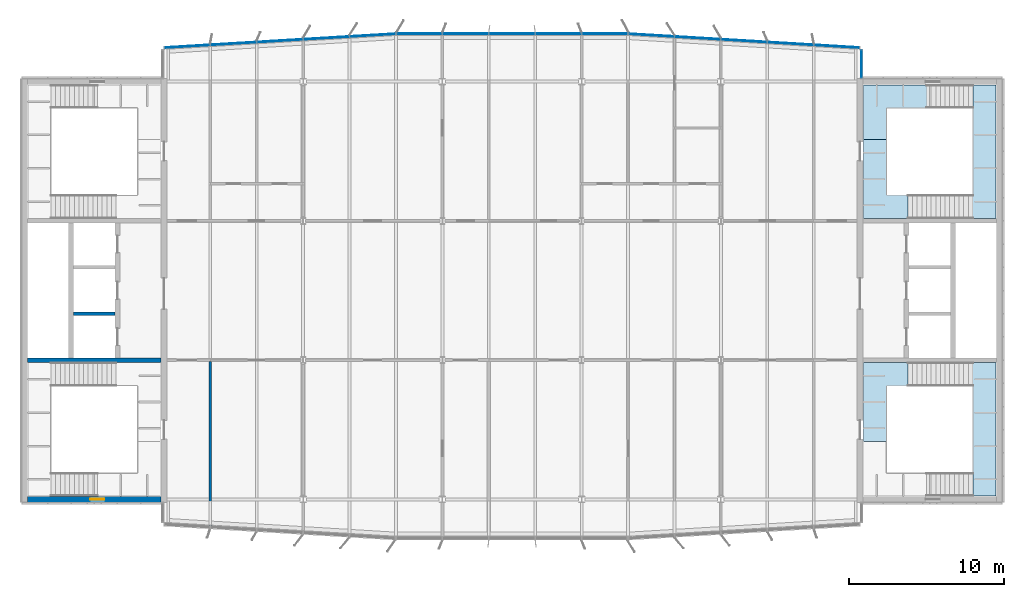
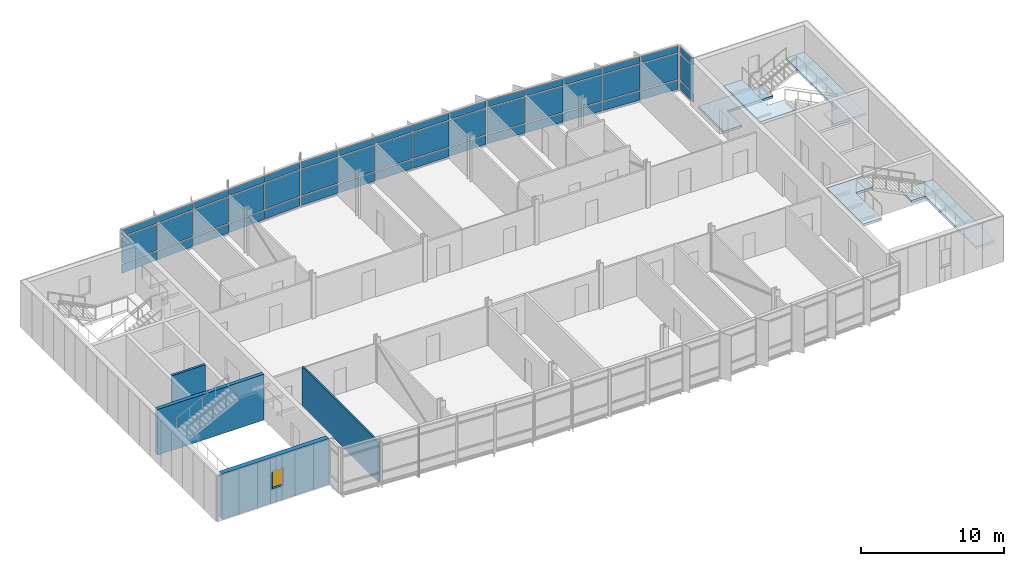
# One storey, part 11 of 18: 48 plates, 5 slabs, 4 walls, 1 window, 1 opening, 6 elements without a shape of their own.
"""IFC4 building model written with IfcOpenShell, lengths in metres."""

from ifc_helpers import new_model, si_unit, direction, frame, frame_2d, origin, origin_2d, place, context, subcontext, project, spatial, polyline, rectangle, outline, extrude, material, layer, layer_set, type_object, element, fill, aggregate, save


model = new_model("IFC4")

# Units and contexts
model_context = context("Model", 3, precision=1e-05, world=origin(), true_north=direction((0.0, 1.0)))
body_context = subcontext(model_context, "Body", "Model", "MODEL_VIEW")
ifc_project = project(units=[si_unit("LENGTHUNIT", "METRE"), si_unit("AREAUNIT", "SQUARE_METRE"), si_unit("VOLUMEUNIT", "CUBIC_METRE"), si_unit("PLANEANGLEUNIT", "RADIAN"), si_unit("MASSUNIT", "GRAM", prefix="KILO")], contexts=[model_context])

# Site, building, storey
site_placement = place(None, origin())
site = spatial("IfcSite", under=ifc_project, at=site_placement, CompositionType="ELEMENT")
building_placement = place(site_placement, origin())
building = spatial("IfcBuilding", under=site, at=building_placement, Name="Azimuth Sports and Learning Centre", CompositionType="ELEMENT")
storey_placement = place(building_placement, frame((0.0, 0.0, 63.60009765625)))
storey = spatial("IfcBuildingStorey", under=building, at=storey_placement, Name="L14", CompositionType="ELEMENT", Elevation=63.60009765625)

# Stair, slabs
ifc_material_1 = material(Name="Concrete C32/40", Category="concrete")
stair_type = type_object("IfcStairType", Name="Square-well stair core 3900 storey", PredefinedType="THREE_QUARTER_TURN_STAIR", material=ifc_material_1)
stair_1_placement = place(storey_placement, origin())
stair_1 = element("IfcStair", 1, at=stair_1_placement, inside=storey, type_object=stair_type, Name="Stair E1 L14-L15", PredefinedType="THREE_QUARTER_TURN_STAIR")
ifc_material_2 = material(Name="Concrete C32/40", Category="concrete")
ifc_layer_1 = layer(ifc_material_2, 0.199951171875)
ifc_layer_set_1 = layer_set([ifc_layer_1], Name="Concrete C32/40")
slab_type = type_object("IfcSlabType", Name="Concrete stair landing", PredefinedType="LANDING", material=ifc_layer_set_1)
slab_1_placement = place(storey_placement, frame((0.0, 0.0, 1.449951171875)))
slab_1 = element("IfcSlab", 2, at=slab_1_placement, type_object=slab_type, Name="Stair E1 L14 landing 2", PredefinedType="LANDING", context=body_context, shape_type="SweptSolid", body=[
    extrude(outline(polyline([(115.2900390625, 91.7099609375), (115.289306640625, 91.7099609375), (115.289306640625, 90.2099609375), (116.7900390625, 90.2099609375), (116.7900390625, 98.840087890625), (114.18994140625, 98.840087890625), (114.18994140625, 97.340087890625), (115.2900390625, 97.340087890625), (115.2900390625, 91.7099609375)])), origin(), (0.0, 0.0, 1.0), 0.199951171875),
])
slab_2_placement = place(storey_placement, frame((0.0, 0.0, 3.699951171875)))
slab_2 = element("IfcSlab", 3, at=slab_2_placement, type_object=slab_type, Name="Stair E1 L14 landing 3", PredefinedType="LANDING", context=body_context, shape_type="SweptSolid", body=[
    extrude(outline(polyline([(109.7099609375, 97.340087890625), (111.0908203125, 97.340087890625), (111.0908203125, 98.840087890625), (108.2099609375, 98.840087890625), (108.2099609375, 93.75), (109.7099609375, 93.75), (109.7099609375, 97.340087890625)])), origin(), (0.0, 0.0, 1.0), 0.199951171875),
])
aggregate(stair_1, [slab_1, slab_2])

stair_2_placement = place(storey_placement, origin())
stair_2 = element("IfcStair", 4, at=stair_2_placement, inside=storey, type_object=stair_type, Name="Stair E2 L14-L15", PredefinedType="THREE_QUARTER_TURN_STAIR")
slab_3_placement = place(storey_placement, frame((0.0, 0.0, -0.2001953125)))
slab_3 = element("IfcSlab", 5, at=slab_3_placement, type_object=slab_type, Name="Stair E2 L14 landing 1", PredefinedType="LANDING", context=body_context, shape_type="SweptSolid", body=[
    extrude(outline(polyline([(108.2099609375, 116.7900390625), (108.2099609375, 113.25), (109.7099609375, 113.25), (109.7099609375, 115.2900390625), (113.389892578125, 115.2900390625), (113.389892578125, 116.7900390625), (108.2099609375, 116.7900390625)])), origin(), (0.0, 0.0, 1.0), 0.2001953125),
])
slab_4_placement = place(storey_placement, frame((0.0, 0.0, 1.449951171875)))
slab_4 = element("IfcSlab", 6, at=slab_4_placement, type_object=slab_type, Name="Stair E2 L14 landing 2", PredefinedType="LANDING", context=body_context, shape_type="SweptSolid", body=[
    extrude(outline(polyline([(115.2900390625, 115.2900390625), (115.2900390625, 109.659912109375), (114.18994140625, 109.659912109375), (114.18994140625, 108.159912109375), (116.7900390625, 108.159912109375), (116.7900390625, 116.7900390625), (115.289306640625, 116.7900390625), (115.289306640625, 115.2900390625), (115.2900390625, 115.2900390625)])), origin(), (0.0, 0.0, 1.0), 0.199951171875),
])
slab_5_placement = place(storey_placement, frame((0.0, 0.0, 3.699951171875)))
slab_5 = element("IfcSlab", 7, at=slab_5_placement, type_object=slab_type, Name="Stair E2 L14 landing 3", PredefinedType="LANDING", context=body_context, shape_type="SweptSolid", body=[
    extrude(outline(polyline([(109.7099609375, 109.659912109375), (109.7099609375, 113.25), (108.2099609375, 113.25), (108.2099609375, 108.159912109375), (111.0908203125, 108.159912109375), (111.0908203125, 109.659912109375), (109.7099609375, 109.659912109375)])), origin(), (0.0, 0.0, 1.0), 0.199951171875),
])
aggregate(stair_2, [slab_3, slab_4, slab_5])

# Curtain wall, plates
ifc_material_3 = material(Name="Aluminium and glass", Category="aluminium")
curtain_wall_type_1 = type_object("IfcCurtainWallType", Name="Curtain wall tower return 180", PredefinedType="NOTDEFINED", material=ifc_material_3)
curtain_wall_1_placement = place(storey_placement, origin())
curtain_wall_1 = element("IfcCurtainWall", 8, at=curtain_wall_1_placement, inside=storey, type_object=curtain_wall_type_1, Name="Curtain wall CW14-006", PredefinedType="NOTDEFINED")
ifc_material_4 = material(Name="Insulated aluminium panel", Category="aluminium")
ifc_layer_2 = layer(ifc_material_4, 0.050048828125)
ifc_layer_set_2 = layer_set([ifc_layer_2], Name="Insulated aluminium panel")
plate_type_1 = type_object("IfcPlateType", Name="Spandrel panel 50 mm", PredefinedType="CURTAIN_PANEL", material=ifc_layer_set_2)
plate_1_placement = place(storey_placement, frame((108.090087890625, 118.14990234375, 0.099853515625), z_axis=(0.0, 0.0, 1.0), x_axis=(0.0, 1.0, 0.0)))
plate_1 = element("IfcPlate", 9, at=plate_1_placement, type_object=plate_type_1, Name="CW14-006 panel 1.1", PredefinedType="CURTAIN_PANEL", context=body_context, shape_type="SweptSolid", body=[
    extrude(rectangle(XDim=1.780029296875, YDim=0.050048828125, at=origin_2d()), origin(), (0.0, 0.0, 1.0), 0.75),
])
plate_2_placement = place(storey_placement, frame((108.090087890625, 118.14990234375, 3.25), z_axis=(0.0, 0.0, 1.0), x_axis=(0.0, 1.0, 0.0)))
plate_2 = element("IfcPlate", 10, at=plate_2_placement, type_object=plate_type_1, Name="CW14-006 panel 1.3", PredefinedType="CURTAIN_PANEL", context=body_context, shape_type="SweptSolid", body=[
    extrude(rectangle(XDim=1.780029296875, YDim=0.050048828125, at=origin_2d()), origin(), (0.0, 0.0, 1.0), 0.550048828125),
])

ifc_material_5 = material(Name="Aluminium and glass", Category="aluminium")
curtain_wall_type_2 = type_object("IfcCurtainWallType", Name="Curtain wall tower north 180", PredefinedType="NOTDEFINED", material=ifc_material_5)
curtain_wall_2_placement = place(storey_placement, origin())
curtain_wall_2 = element("IfcCurtainWall", 11, at=curtain_wall_2_placement, inside=storey, type_object=curtain_wall_type_2, Name="Curtain wall CW14-007", PredefinedType="NOTDEFINED")
plate_3_placement = place(storey_placement, frame((106.490478515625, 119.28076171875, 0.099853515625), z_axis=(0.0, 0.0, 1.0), x_axis=(-0.998204863401, 0.059891991812, 0.0)))
plate_3 = element("IfcPlate", 12, at=plate_3_placement, type_object=plate_type_1, Name="CW14-007 panel 1.1", PredefinedType="CURTAIN_PANEL", context=body_context, shape_type="SweptSolid", body=[
    extrude(rectangle(XDim=2.915283203125, YDim=0.050048828125, at=origin_2d()), origin(), (0.0, 0.0, 1.0), 0.75),
])
plate_4_placement = place(storey_placement, frame((106.490478515625, 119.28076171875, 3.25), z_axis=(0.0, 0.0, 1.0), x_axis=(-0.998204863401, 0.059891991812, 0.0)))
plate_4 = element("IfcPlate", 13, at=plate_4_placement, type_object=plate_type_1, Name="CW14-007 panel 1.3", PredefinedType="CURTAIN_PANEL", context=body_context, shape_type="SweptSolid", body=[
    extrude(rectangle(XDim=2.915283203125, YDim=0.050048828125, at=origin_2d()), origin(), (0.0, 0.0, 1.0), 0.550048828125),
])
plate_5_placement = place(storey_placement, frame((103.50537109375, 119.459716796875, 0.099853515625), z_axis=(0.0, 0.0, 1.0), x_axis=(-0.998204863401, 0.059891991812, 0.0)))
plate_5 = element("IfcPlate", 14, at=plate_5_placement, type_object=plate_type_1, Name="CW14-007 panel 2.1", PredefinedType="CURTAIN_PANEL", context=body_context, shape_type="SweptSolid", body=[
    extrude(rectangle(XDim=2.9453125, YDim=0.050048828125, at=origin_2d()), origin(), (0.0, 0.0, 1.0), 0.75),
])
plate_6_placement = place(storey_placement, frame((103.50537109375, 119.459716796875, 3.25), z_axis=(0.0, 0.0, 1.0), x_axis=(-0.998204863401, 0.059891991812, 0.0)))
plate_6 = element("IfcPlate", 15, at=plate_6_placement, type_object=plate_type_1, Name="CW14-007 panel 2.3", PredefinedType="CURTAIN_PANEL", context=body_context, shape_type="SweptSolid", body=[
    extrude(rectangle(XDim=2.9453125, YDim=0.050048828125, at=origin_2d()), origin(), (0.0, 0.0, 1.0), 0.550048828125),
])
plate_7_placement = place(storey_placement, frame((100.50537109375, 119.639892578125, 0.099853515625), z_axis=(0.0, 0.0, 1.0), x_axis=(-0.998204863401, 0.059891991812, 0.0)))
plate_7 = element("IfcPlate", 16, at=plate_7_placement, type_object=plate_type_1, Name="CW14-007 panel 3.1", PredefinedType="CURTAIN_PANEL", context=body_context, shape_type="SweptSolid", body=[
    extrude(rectangle(XDim=2.9453125, YDim=0.050048828125, at=origin_2d()), origin(), (0.0, 0.0, 1.0), 0.75),
])
plate_8_placement = place(storey_placement, frame((100.50537109375, 119.639892578125, 3.25), z_axis=(0.0, 0.0, 1.0), x_axis=(-0.998204863401, 0.059891991812, 0.0)))
plate_8 = element("IfcPlate", 17, at=plate_8_placement, type_object=plate_type_1, Name="CW14-007 panel 3.3", PredefinedType="CURTAIN_PANEL", context=body_context, shape_type="SweptSolid", body=[
    extrude(rectangle(XDim=2.9453125, YDim=0.050048828125, at=origin_2d()), origin(), (0.0, 0.0, 1.0), 0.550048828125),
])
plate_9_placement = place(storey_placement, frame((97.50537109375, 119.81982421875, 0.099853515625), z_axis=(0.0, 0.0, 1.0), x_axis=(-0.998204863401, 0.059891991812, 0.0)))
plate_9 = element("IfcPlate", 18, at=plate_9_placement, type_object=plate_type_1, Name="CW14-007 panel 4.1", PredefinedType="CURTAIN_PANEL", context=body_context, shape_type="SweptSolid", body=[
    extrude(rectangle(XDim=2.9453125, YDim=0.050048828125, at=origin_2d()), origin(), (0.0, 0.0, 1.0), 0.75),
])
plate_10_placement = place(storey_placement, frame((97.50537109375, 119.81982421875, 3.25), z_axis=(0.0, 0.0, 1.0), x_axis=(-0.998204863401, 0.059891991812, 0.0)))
plate_10 = element("IfcPlate", 19, at=plate_10_placement, type_object=plate_type_1, Name="CW14-007 panel 4.3", PredefinedType="CURTAIN_PANEL", context=body_context, shape_type="SweptSolid", body=[
    extrude(rectangle(XDim=2.9453125, YDim=0.050048828125, at=origin_2d()), origin(), (0.0, 0.0, 1.0), 0.550048828125),
])
plate_11_placement = place(storey_placement, frame((94.520263671875, 119.9990234375, 0.099853515625), z_axis=(0.0, 0.0, 1.0), x_axis=(-0.998204863401, 0.059891991812, 0.0)))
plate_11 = element("IfcPlate", 20, at=plate_11_placement, type_object=plate_type_1, Name="CW14-007 panel 5.1", PredefinedType="CURTAIN_PANEL", context=body_context, shape_type="SweptSolid", body=[
    extrude(rectangle(XDim=2.915283203125, YDim=0.050048828125, at=origin_2d()), origin(), (0.0, 0.0, 1.0), 0.75),
])
plate_12_placement = place(storey_placement, frame((94.520263671875, 119.9990234375, 3.25), z_axis=(0.0, 0.0, 1.0), x_axis=(-0.998204863401, 0.059891991812, 0.0)))
plate_12 = element("IfcPlate", 21, at=plate_12_placement, type_object=plate_type_1, Name="CW14-007 panel 5.3", PredefinedType="CURTAIN_PANEL", context=body_context, shape_type="SweptSolid", body=[
    extrude(rectangle(XDim=2.915283203125, YDim=0.050048828125, at=origin_2d()), origin(), (0.0, 0.0, 1.0), 0.550048828125),
])

curtain_wall_3_placement = place(storey_placement, origin())
curtain_wall_3 = element("IfcCurtainWall", 22, at=curtain_wall_3_placement, inside=storey, type_object=curtain_wall_type_2, Name="Curtain wall CW14-008", PredefinedType="NOTDEFINED")
plate_13_placement = place(storey_placement, frame((91.48779296875, 120.090087890625, 0.099853515625), z_axis=(0.0, 0.0, 1.0), x_axis=(-1.0, 0.0, 0.0)))
plate_13 = element("IfcPlate", 23, at=plate_13_placement, type_object=plate_type_1, Name="CW14-008 panel 1.1", PredefinedType="CURTAIN_PANEL", context=body_context, shape_type="SweptSolid", body=[
    extrude(rectangle(XDim=2.915283203125, YDim=0.050048828125, at=origin_2d()), origin(), (0.0, 0.0, 1.0), 0.75),
])
plate_14_placement = place(storey_placement, frame((91.48779296875, 120.090087890625, 3.25), z_axis=(0.0, 0.0, 1.0), x_axis=(-1.0, 0.0, 0.0)))
plate_14 = element("IfcPlate", 24, at=plate_14_placement, type_object=plate_type_1, Name="CW14-008 panel 1.3", PredefinedType="CURTAIN_PANEL", context=body_context, shape_type="SweptSolid", body=[
    extrude(rectangle(XDim=2.915283203125, YDim=0.050048828125, at=origin_2d()), origin(), (0.0, 0.0, 1.0), 0.550048828125),
])
plate_15_placement = place(storey_placement, frame((88.5, 120.090087890625, 0.099853515625), z_axis=(0.0, 0.0, 1.0), x_axis=(-1.0, 0.0, 0.0)))
plate_15 = element("IfcPlate", 25, at=plate_15_placement, type_object=plate_type_1, Name="CW14-008 panel 2.1", PredefinedType="CURTAIN_PANEL", context=body_context, shape_type="SweptSolid", body=[
    extrude(rectangle(XDim=2.93994140625, YDim=0.050048828125, at=origin_2d()), origin(), (0.0, 0.0, 1.0), 0.75),
])
plate_16_placement = place(storey_placement, frame((88.5, 120.090087890625, 3.25), z_axis=(0.0, 0.0, 1.0), x_axis=(-1.0, 0.0, 0.0)))
plate_16 = element("IfcPlate", 26, at=plate_16_placement, type_object=plate_type_1, Name="CW14-008 panel 2.3", PredefinedType="CURTAIN_PANEL", context=body_context, shape_type="SweptSolid", body=[
    extrude(rectangle(XDim=2.93994140625, YDim=0.050048828125, at=origin_2d()), origin(), (0.0, 0.0, 1.0), 0.550048828125),
])
plate_17_placement = place(storey_placement, frame((85.5, 120.090087890625, 0.099853515625), z_axis=(0.0, 0.0, 1.0), x_axis=(-1.0, 0.0, 0.0)))
plate_17 = element("IfcPlate", 27, at=plate_17_placement, type_object=plate_type_1, Name="CW14-008 panel 3.1", PredefinedType="CURTAIN_PANEL", context=body_context, shape_type="SweptSolid", body=[
    extrude(rectangle(XDim=2.93994140625, YDim=0.050048828125, at=origin_2d()), origin(), (0.0, 0.0, 1.0), 0.75),
])
plate_18_placement = place(storey_placement, frame((85.5, 120.090087890625, 3.25), z_axis=(0.0, 0.0, 1.0), x_axis=(-1.0, 0.0, 0.0)))
plate_18 = element("IfcPlate", 28, at=plate_18_placement, type_object=plate_type_1, Name="CW14-008 panel 3.3", PredefinedType="CURTAIN_PANEL", context=body_context, shape_type="SweptSolid", body=[
    extrude(rectangle(XDim=2.93994140625, YDim=0.050048828125, at=origin_2d()), origin(), (0.0, 0.0, 1.0), 0.550048828125),
])
plate_19_placement = place(storey_placement, frame((82.5, 120.090087890625, 0.099853515625), z_axis=(0.0, 0.0, 1.0), x_axis=(-1.0, 0.0, 0.0)))
plate_19 = element("IfcPlate", 29, at=plate_19_placement, type_object=plate_type_1, Name="CW14-008 panel 4.1", PredefinedType="CURTAIN_PANEL", context=body_context, shape_type="SweptSolid", body=[
    extrude(rectangle(XDim=2.93994140625, YDim=0.050048828125, at=origin_2d()), origin(), (0.0, 0.0, 1.0), 0.75),
])
plate_20_placement = place(storey_placement, frame((82.5, 120.090087890625, 3.25), z_axis=(0.0, 0.0, 1.0), x_axis=(-1.0, 0.0, 0.0)))
plate_20 = element("IfcPlate", 30, at=plate_20_placement, type_object=plate_type_1, Name="CW14-008 panel 4.3", PredefinedType="CURTAIN_PANEL", context=body_context, shape_type="SweptSolid", body=[
    extrude(rectangle(XDim=2.93994140625, YDim=0.050048828125, at=origin_2d()), origin(), (0.0, 0.0, 1.0), 0.550048828125),
])
plate_21_placement = place(storey_placement, frame((79.514892578125, 120.090087890625, 0.099853515625), z_axis=(0.0, 0.0, 1.0), x_axis=(-1.0, 0.0, 0.0)))
plate_21 = element("IfcPlate", 31, at=plate_21_placement, type_object=plate_type_1, Name="CW14-008 panel 5.1", PredefinedType="CURTAIN_PANEL", context=body_context, shape_type="SweptSolid", body=[
    extrude(rectangle(XDim=2.909912109375, YDim=0.050048828125, at=origin_2d()), origin(), (0.0, 0.0, 1.0), 0.75),
])
plate_22_placement = place(storey_placement, frame((79.514892578125, 120.090087890625, 3.25), z_axis=(0.0, 0.0, 1.0), x_axis=(-1.0, 0.0, 0.0)))
plate_22 = element("IfcPlate", 32, at=plate_22_placement, type_object=plate_type_1, Name="CW14-008 panel 5.3", PredefinedType="CURTAIN_PANEL", context=body_context, shape_type="SweptSolid", body=[
    extrude(rectangle(XDim=2.909912109375, YDim=0.050048828125, at=origin_2d()), origin(), (0.0, 0.0, 1.0), 0.550048828125),
])

curtain_wall_4_placement = place(storey_placement, origin())
curtain_wall_4 = element("IfcCurtainWall", 33, at=curtain_wall_4_placement, inside=storey, type_object=curtain_wall_type_2, Name="Curtain wall CW14-009", PredefinedType="NOTDEFINED")
plate_23_placement = place(storey_placement, frame((76.482421875, 119.9990234375, 0.099853515625), z_axis=(0.0, 0.0, 1.0), x_axis=(-0.998204863401, -0.059891991812, 0.0)))
plate_23 = element("IfcPlate", 34, at=plate_23_placement, type_object=plate_type_1, Name="CW14-009 panel 1.1", PredefinedType="CURTAIN_PANEL", context=body_context, shape_type="SweptSolid", body=[
    extrude(rectangle(XDim=2.9208984375, YDim=0.050048828125, at=origin_2d()), origin(), (0.0, 0.0, 1.0), 0.75),
])
plate_24_placement = place(storey_placement, frame((76.482421875, 119.9990234375, 3.25), z_axis=(0.0, 0.0, 1.0), x_axis=(-0.998204863401, -0.059891991812, 0.0)))
plate_24 = element("IfcPlate", 35, at=plate_24_placement, type_object=plate_type_1, Name="CW14-009 panel 1.3", PredefinedType="CURTAIN_PANEL", context=body_context, shape_type="SweptSolid", body=[
    extrude(rectangle(XDim=2.9208984375, YDim=0.050048828125, at=origin_2d()), origin(), (0.0, 0.0, 1.0), 0.550048828125),
])
plate_25_placement = place(storey_placement, frame((73.49462890625, 119.81982421875, 0.099853515625), z_axis=(0.0, 0.0, 1.0), x_axis=(-0.998204863401, -0.059891991812, 0.0)))
plate_25 = element("IfcPlate", 36, at=plate_25_placement, type_object=plate_type_1, Name="CW14-009 panel 2.1", PredefinedType="CURTAIN_PANEL", context=body_context, shape_type="SweptSolid", body=[
    extrude(rectangle(XDim=2.9453125, YDim=0.050048828125, at=origin_2d()), origin(), (0.0, 0.0, 1.0), 0.75),
])
plate_26_placement = place(storey_placement, frame((73.49462890625, 119.81982421875, 3.25), z_axis=(0.0, 0.0, 1.0), x_axis=(-0.998204863401, -0.059891991812, 0.0)))
plate_26 = element("IfcPlate", 37, at=plate_26_placement, type_object=plate_type_1, Name="CW14-009 panel 2.3", PredefinedType="CURTAIN_PANEL", context=body_context, shape_type="SweptSolid", body=[
    extrude(rectangle(XDim=2.9453125, YDim=0.050048828125, at=origin_2d()), origin(), (0.0, 0.0, 1.0), 0.550048828125),
])
plate_27_placement = place(storey_placement, frame((70.49462890625, 119.639892578125, 0.099853515625), z_axis=(0.0, 0.0, 1.0), x_axis=(-0.998204863401, -0.059891991812, 0.0)))
plate_27 = element("IfcPlate", 38, at=plate_27_placement, type_object=plate_type_1, Name="CW14-009 panel 3.1", PredefinedType="CURTAIN_PANEL", context=body_context, shape_type="SweptSolid", body=[
    extrude(rectangle(XDim=2.9453125, YDim=0.050048828125, at=origin_2d()), origin(), (0.0, 0.0, 1.0), 0.75),
])
plate_28_placement = place(storey_placement, frame((70.49462890625, 119.639892578125, 3.25), z_axis=(0.0, 0.0, 1.0), x_axis=(-0.998204863401, -0.059891991812, 0.0)))
plate_28 = element("IfcPlate", 39, at=plate_28_placement, type_object=plate_type_1, Name="CW14-009 panel 3.3", PredefinedType="CURTAIN_PANEL", context=body_context, shape_type="SweptSolid", body=[
    extrude(rectangle(XDim=2.9453125, YDim=0.050048828125, at=origin_2d()), origin(), (0.0, 0.0, 1.0), 0.550048828125),
])
plate_29_placement = place(storey_placement, frame((67.49462890625, 119.4599609375, 0.099853515625), z_axis=(0.0, 0.0, 1.0), x_axis=(-0.998204863401, -0.059891991812, 0.0)))
plate_29 = element("IfcPlate", 40, at=plate_29_placement, type_object=plate_type_1, Name="CW14-009 panel 4.1", PredefinedType="CURTAIN_PANEL", context=body_context, shape_type="SweptSolid", body=[
    extrude(rectangle(XDim=2.9453125, YDim=0.050048828125, at=origin_2d()), origin(), (0.0, 0.0, 1.0), 0.75),
])
plate_30_placement = place(storey_placement, frame((67.49462890625, 119.4599609375, 3.25), z_axis=(0.0, 0.0, 1.0), x_axis=(-0.998204863401, -0.059891991812, 0.0)))
plate_30 = element("IfcPlate", 41, at=plate_30_placement, type_object=plate_type_1, Name="CW14-009 panel 4.3", PredefinedType="CURTAIN_PANEL", context=body_context, shape_type="SweptSolid", body=[
    extrude(rectangle(XDim=2.9453125, YDim=0.050048828125, at=origin_2d()), origin(), (0.0, 0.0, 1.0), 0.550048828125),
])
plate_31_placement = place(storey_placement, frame((64.509521484375, 119.28076171875, 0.099853515625), z_axis=(0.0, 0.0, 1.0), x_axis=(-0.998204863401, -0.059891991812, 0.0)))
plate_31 = element("IfcPlate", 42, at=plate_31_placement, type_object=plate_type_1, Name="CW14-009 panel 5.1", PredefinedType="CURTAIN_PANEL", context=body_context, shape_type="SweptSolid", body=[
    extrude(rectangle(XDim=2.915283203125, YDim=0.050048828125, at=origin_2d()), origin(), (0.0, 0.0, 1.0), 0.75),
])
plate_32_placement = place(storey_placement, frame((64.509521484375, 119.28076171875, 3.25), z_axis=(0.0, 0.0, 1.0), x_axis=(-0.998204863401, -0.059891991812, 0.0)))
plate_32 = element("IfcPlate", 43, at=plate_32_placement, type_object=plate_type_1, Name="CW14-009 panel 5.3", PredefinedType="CURTAIN_PANEL", context=body_context, shape_type="SweptSolid", body=[
    extrude(rectangle(XDim=2.915283203125, YDim=0.050048828125, at=origin_2d()), origin(), (0.0, 0.0, 1.0), 0.550048828125),
])

# Plate
ifc_material_6 = material(Name="Glass", Category="glass")
ifc_layer_3 = layer(ifc_material_6, 0.031982421875)
ifc_layer_set_3 = layer_set([ifc_layer_3], Name="Glass")
plate_type_2 = type_object("IfcPlateType", Name="Vision glass 32 mm", PredefinedType="CURTAIN_PANEL", material=ifc_layer_set_3)
plate_33_placement = place(storey_placement, frame((108.090087890625, 118.14990234375, 0.94970703125), z_axis=(0.0, 0.0, 1.0), x_axis=(0.0, 1.0, 0.0)))
plate_33 = element("IfcPlate", 44, at=plate_33_placement, type_object=plate_type_2, Name="CW14-006 panel 1.2", PredefinedType="CURTAIN_PANEL", context=body_context, shape_type="SweptSolid", body=[
    extrude(rectangle(XDim=1.780029296875, YDim=0.031982421875, at=origin_2d()), origin(), (0.0, 0.0, 1.0), 2.199951171875),
])

aggregate(curtain_wall_1, [plate_1, plate_33, plate_2])

plate_34_placement = place(storey_placement, frame((106.490478515625, 119.28076171875, 0.94970703125), z_axis=(0.0, 0.0, 1.0), x_axis=(-0.998204863401, 0.059891991812, 0.0)))
plate_34 = element("IfcPlate", 45, at=plate_34_placement, type_object=plate_type_2, Name="CW14-007 panel 1.2", PredefinedType="CURTAIN_PANEL", context=body_context, shape_type="SweptSolid", body=[
    extrude(rectangle(XDim=2.915283203125, YDim=0.031982421875, at=origin_2d()), origin(), (0.0, 0.0, 1.0), 2.199951171875),
])

plate_35_placement = place(storey_placement, frame((103.50537109375, 119.459716796875, 0.94970703125), z_axis=(0.0, 0.0, 1.0), x_axis=(-0.998204863401, 0.059891991812, 0.0)))
plate_35 = element("IfcPlate", 46, at=plate_35_placement, type_object=plate_type_2, Name="CW14-007 panel 2.2", PredefinedType="CURTAIN_PANEL", context=body_context, shape_type="SweptSolid", body=[
    extrude(rectangle(XDim=2.9453125, YDim=0.031982421875, at=origin_2d()), origin(), (0.0, 0.0, 1.0), 2.199951171875),
])

plate_36_placement = place(storey_placement, frame((100.50537109375, 119.639892578125, 0.94970703125), z_axis=(0.0, 0.0, 1.0), x_axis=(-0.998204863401, 0.059891991812, 0.0)))
plate_36 = element("IfcPlate", 47, at=plate_36_placement, type_object=plate_type_2, Name="CW14-007 panel 3.2", PredefinedType="CURTAIN_PANEL", context=body_context, shape_type="SweptSolid", body=[
    extrude(rectangle(XDim=2.9453125, YDim=0.031982421875, at=origin_2d()), origin(), (0.0, 0.0, 1.0), 2.199951171875),
])

plate_37_placement = place(storey_placement, frame((97.50537109375, 119.81982421875, 0.94970703125), z_axis=(0.0, 0.0, 1.0), x_axis=(-0.998204863401, 0.059891991812, 0.0)))
plate_37 = element("IfcPlate", 48, at=plate_37_placement, type_object=plate_type_2, Name="CW14-007 panel 4.2", PredefinedType="CURTAIN_PANEL", context=body_context, shape_type="SweptSolid", body=[
    extrude(rectangle(XDim=2.9453125, YDim=0.031982421875, at=origin_2d()), origin(), (0.0, 0.0, 1.0), 2.199951171875),
])

plate_38_placement = place(storey_placement, frame((94.520263671875, 119.9990234375, 0.94970703125), z_axis=(0.0, 0.0, 1.0), x_axis=(-0.998204863401, 0.059891991812, 0.0)))
plate_38 = element("IfcPlate", 49, at=plate_38_placement, type_object=plate_type_2, Name="CW14-007 panel 5.2", PredefinedType="CURTAIN_PANEL", context=body_context, shape_type="SweptSolid", body=[
    extrude(rectangle(XDim=2.915283203125, YDim=0.031982421875, at=origin_2d()), origin(), (0.0, 0.0, 1.0), 2.199951171875),
])

aggregate(curtain_wall_2, [plate_3, plate_34, plate_4, plate_5, plate_35, plate_6, plate_7, plate_36, plate_8, plate_9, plate_37, plate_10, plate_11, plate_38, plate_12])

plate_39_placement = place(storey_placement, frame((91.48779296875, 120.090087890625, 0.94970703125), z_axis=(0.0, 0.0, 1.0), x_axis=(-1.0, 0.0, 0.0)))
plate_39 = element("IfcPlate", 50, at=plate_39_placement, type_object=plate_type_2, Name="CW14-008 panel 1.2", PredefinedType="CURTAIN_PANEL", context=body_context, shape_type="SweptSolid", body=[
    extrude(rectangle(XDim=2.915283203125, YDim=0.031982421875, at=origin_2d()), origin(), (0.0, 0.0, 1.0), 2.199951171875),
])

plate_40_placement = place(storey_placement, frame((88.5, 120.090087890625, 0.94970703125), z_axis=(0.0, 0.0, 1.0), x_axis=(-1.0, 0.0, 0.0)))
plate_40 = element("IfcPlate", 51, at=plate_40_placement, type_object=plate_type_2, Name="CW14-008 panel 2.2", PredefinedType="CURTAIN_PANEL", context=body_context, shape_type="SweptSolid", body=[
    extrude(rectangle(XDim=2.93994140625, YDim=0.031982421875, at=origin_2d()), origin(), (0.0, 0.0, 1.0), 2.199951171875),
])

plate_41_placement = place(storey_placement, frame((85.5, 120.090087890625, 0.94970703125), z_axis=(0.0, 0.0, 1.0), x_axis=(-1.0, 0.0, 0.0)))
plate_41 = element("IfcPlate", 52, at=plate_41_placement, type_object=plate_type_2, Name="CW14-008 panel 3.2", PredefinedType="CURTAIN_PANEL", context=body_context, shape_type="SweptSolid", body=[
    extrude(rectangle(XDim=2.93994140625, YDim=0.031982421875, at=origin_2d()), origin(), (0.0, 0.0, 1.0), 2.199951171875),
])

plate_42_placement = place(storey_placement, frame((82.5, 120.090087890625, 0.94970703125), z_axis=(0.0, 0.0, 1.0), x_axis=(-1.0, 0.0, 0.0)))
plate_42 = element("IfcPlate", 53, at=plate_42_placement, type_object=plate_type_2, Name="CW14-008 panel 4.2", PredefinedType="CURTAIN_PANEL", context=body_context, shape_type="SweptSolid", body=[
    extrude(rectangle(XDim=2.93994140625, YDim=0.031982421875, at=origin_2d()), origin(), (0.0, 0.0, 1.0), 2.199951171875),
])

plate_43_placement = place(storey_placement, frame((79.514892578125, 120.090087890625, 0.94970703125), z_axis=(0.0, 0.0, 1.0), x_axis=(-1.0, 0.0, 0.0)))
plate_43 = element("IfcPlate", 54, at=plate_43_placement, type_object=plate_type_2, Name="CW14-008 panel 5.2", PredefinedType="CURTAIN_PANEL", context=body_context, shape_type="SweptSolid", body=[
    extrude(rectangle(XDim=2.909912109375, YDim=0.031982421875, at=origin_2d()), origin(), (0.0, 0.0, 1.0), 2.199951171875),
])

aggregate(curtain_wall_3, [plate_13, plate_39, plate_14, plate_15, plate_40, plate_16, plate_17, plate_41, plate_18, plate_19, plate_42, plate_20, plate_21, plate_43, plate_22])

plate_44_placement = place(storey_placement, frame((76.482421875, 119.9990234375, 0.94970703125), z_axis=(0.0, 0.0, 1.0), x_axis=(-0.998204863401, -0.059891991812, 0.0)))
plate_44 = element("IfcPlate", 55, at=plate_44_placement, type_object=plate_type_2, Name="CW14-009 panel 1.2", PredefinedType="CURTAIN_PANEL", context=body_context, shape_type="SweptSolid", body=[
    extrude(rectangle(XDim=2.9208984375, YDim=0.031982421875, at=origin_2d()), origin(), (0.0, 0.0, 1.0), 2.199951171875),
])

plate_45_placement = place(storey_placement, frame((73.49462890625, 119.81982421875, 0.94970703125), z_axis=(0.0, 0.0, 1.0), x_axis=(-0.998204863401, -0.059891991812, 0.0)))
plate_45 = element("IfcPlate", 56, at=plate_45_placement, type_object=plate_type_2, Name="CW14-009 panel 2.2", PredefinedType="CURTAIN_PANEL", context=body_context, shape_type="SweptSolid", body=[
    extrude(rectangle(XDim=2.9453125, YDim=0.031982421875, at=origin_2d()), origin(), (0.0, 0.0, 1.0), 2.199951171875),
])

plate_46_placement = place(storey_placement, frame((70.49462890625, 119.639892578125, 0.94970703125), z_axis=(0.0, 0.0, 1.0), x_axis=(-0.998204863401, -0.059891991812, 0.0)))
plate_46 = element("IfcPlate", 57, at=plate_46_placement, type_object=plate_type_2, Name="CW14-009 panel 3.2", PredefinedType="CURTAIN_PANEL", context=body_context, shape_type="SweptSolid", body=[
    extrude(rectangle(XDim=2.9453125, YDim=0.031982421875, at=origin_2d()), origin(), (0.0, 0.0, 1.0), 2.199951171875),
])

plate_47_placement = place(storey_placement, frame((67.49462890625, 119.4599609375, 0.94970703125), z_axis=(0.0, 0.0, 1.0), x_axis=(-0.998204863401, -0.059891991812, 0.0)))
plate_47 = element("IfcPlate", 58, at=plate_47_placement, type_object=plate_type_2, Name="CW14-009 panel 4.2", PredefinedType="CURTAIN_PANEL", context=body_context, shape_type="SweptSolid", body=[
    extrude(rectangle(XDim=2.9453125, YDim=0.031982421875, at=origin_2d()), origin(), (0.0, 0.0, 1.0), 2.199951171875),
])

plate_48_placement = place(storey_placement, frame((64.509521484375, 119.28076171875, 0.94970703125), z_axis=(0.0, 0.0, 1.0), x_axis=(-0.998204863401, -0.059891991812, 0.0)))
plate_48 = element("IfcPlate", 59, at=plate_48_placement, type_object=plate_type_2, Name="CW14-009 panel 5.2", PredefinedType="CURTAIN_PANEL", context=body_context, shape_type="SweptSolid", body=[
    extrude(rectangle(XDim=2.915283203125, YDim=0.031982421875, at=origin_2d()), origin(), (0.0, 0.0, 1.0), 2.199951171875),
])

aggregate(curtain_wall_4, [plate_23, plate_44, plate_24, plate_25, plate_45, plate_26, plate_27, plate_46, plate_28, plate_29, plate_47, plate_30, plate_31, plate_48, plate_32])

# Walls
ifc_material_7 = material(Name="Dense masonry blockwork", Category="masonry")
ifc_layer_4 = layer(ifc_material_7, 0.199951171875)
ifc_layer_set_4 = layer_set([ifc_layer_4], Name="Dense masonry blockwork")
wall_type_1 = type_object("IfcWallType", Name="Blockwork wall 200 EI 120", PredefinedType="SOLIDWALL", material=ifc_layer_set_4)
wall_1_placement = place(storey_placement, frame((57.14990234375, 102.0, 0.0), z_axis=(0.0, 0.0, 1.0), x_axis=(1.0, 0.0, 0.0)))
element("IfcWall", 60, at=wall_1_placement, inside=storey, type_object=wall_type_1, Name="SD-W-1-L14", PredefinedType="SOLIDWALL", context=body_context, shape_type="SweptSolid", body=[
    extrude(rectangle(XDim=2.7001953125, YDim=0.199951171875, at=frame_2d((1.35009765625, 0.0))), origin(), (0.0, 0.0, 1.0), 3.89990234375),
])
ifc_material_8 = material(Name="Lightweight blockwork, rendered", Category="masonry")
ifc_layer_5 = layer(ifc_material_8, 0.14990234375)
ifc_layer_set_5 = layer_set([ifc_layer_5], Name="Lightweight blockwork, rendered")
wall_type_2 = type_object("IfcWallType", Name="Partition 150 EI 60", PredefinedType="PARTITIONING", material=ifc_layer_set_5)
wall_2_placement = place(storey_placement, frame((66.0, 88.320068359375, 0.0), z_axis=(0.0, 0.0, 1.0), x_axis=(0.0, 1.0, 0.0)))
element("IfcWall", 61, at=wall_2_placement, inside=storey, type_object=wall_type_2, Name="Partition Stair Lobby W1 14.01 / Classroom 14.07", PredefinedType="PARTITIONING", context=body_context, shape_type="SweptSolid", body=[
    extrude(rectangle(XDim=10.60498046875, YDim=0.14990234375, at=frame_2d((5.302490234375, 0.0))), origin(), (0.0, 0.0, 1.0), 3.409912109375),
])
ifc_material_9 = material(Name="Concrete C40/50", Category="concrete")
ifc_layer_6 = layer(ifc_material_9, 0.300048828125)
ifc_layer_set_6 = layer_set([ifc_layer_6], Name="Concrete C40/50")
wall_type_3 = type_object("IfcWallType", Name="RC core wall 300", PredefinedType="SHEAR", material=ifc_layer_set_6)
wall_3_placement = place(storey_placement, frame((54.199951171875, 99.0, 0.0), z_axis=(0.0, 0.0, 1.0), x_axis=(1.0, 0.0, 0.0)))
element("IfcWall", 62, at=wall_3_placement, inside=storey, type_object=wall_type_3, Name="Core wall W D1 L14", PredefinedType="SHEAR", context=body_context, shape_type="SweptSolid", body=[
    extrude(rectangle(XDim=8.60009765625, YDim=0.300048828125, at=frame_2d((4.300048828125, 0.0))), origin(), (0.0, 0.0, 1.0), 3.89990234375),
])

# Wall, opening, window
ifc_material_10 = material(Name="Concrete C40/50", Category="concrete")
ifc_layer_7 = layer(ifc_material_10, 0.39990234375)
ifc_layer_set_7 = layer_set([ifc_layer_7], Name="Concrete C40/50")
wall_type_4 = type_object("IfcWallType", Name="RC external core wall 400", PredefinedType="SHEAR", material=ifc_layer_set_7)
wall_4_placement = place(storey_placement, frame((54.199951171875, 90.0, 0.0), z_axis=(0.0, 0.0, 1.0), x_axis=(1.0, 0.0, 0.0)))
wall_4 = element("IfcWall", 63, at=wall_4_placement, inside=storey, type_object=wall_type_4, Name="Core wall W S L14", PredefinedType="SHEAR", context=body_context, shape_type="SweptSolid", body=[
    extrude(rectangle(XDim=8.60009765625, YDim=0.39990234375, at=frame_2d((4.300048828125, 0.0))), origin(), (0.0, 0.0, 1.0), 3.89990234375),
])
opening_placement = place(wall_4_placement, frame((4.050048828125, 0.0, 1.199951171875)))
opening = element("IfcOpeningElement", 64, at=opening_placement, cuts=wall_4, Name="Opening W14-001", PredefinedType="OPENING", context=body_context, shape_type="SweptSolid", body=[
    extrude(rectangle(XDim=0.89990234375, YDim=1.5, at=frame_2d((0.449951171875, 0.75))), frame((0.0, 0.2109375, 0.0), z_axis=(0.0, -1.0, 0.0), x_axis=(1.0, 0.0, 0.0)), (0.0, 0.0, 1.0), 0.421875),
])
ifc_material_11 = material(Name="Aluminium and glass", Category="aluminium")
window_type = type_object("IfcWindowType", Name="Stair window tower core 900x1500", PartitioningType="SINGLE_PANEL", PredefinedType="WINDOW", material=ifc_material_11)
window_placement = place(opening_placement, origin())
window = element("IfcWindow", 65, at=window_placement, inside=storey, type_object=window_type, Name="Window W14-001", OverallHeight=1.5, OverallWidth=0.89990234375, PartitioningType="SINGLE_PANEL", PredefinedType="WINDOW", context=body_context, shape_type="SweptSolid", body=[
    extrude(rectangle(XDim=0.89990234375, YDim=1.5, at=frame_2d((0.449951171875, 0.75))), frame((0.0, 0.030029296875, 0.0), z_axis=(0.0, -1.0, 0.0), x_axis=(1.0, 0.0, 0.0)), (0.0, 0.0, 1.0), 0.06005859375),
])
fill(opening, window)

save(model, "model.ifc")
